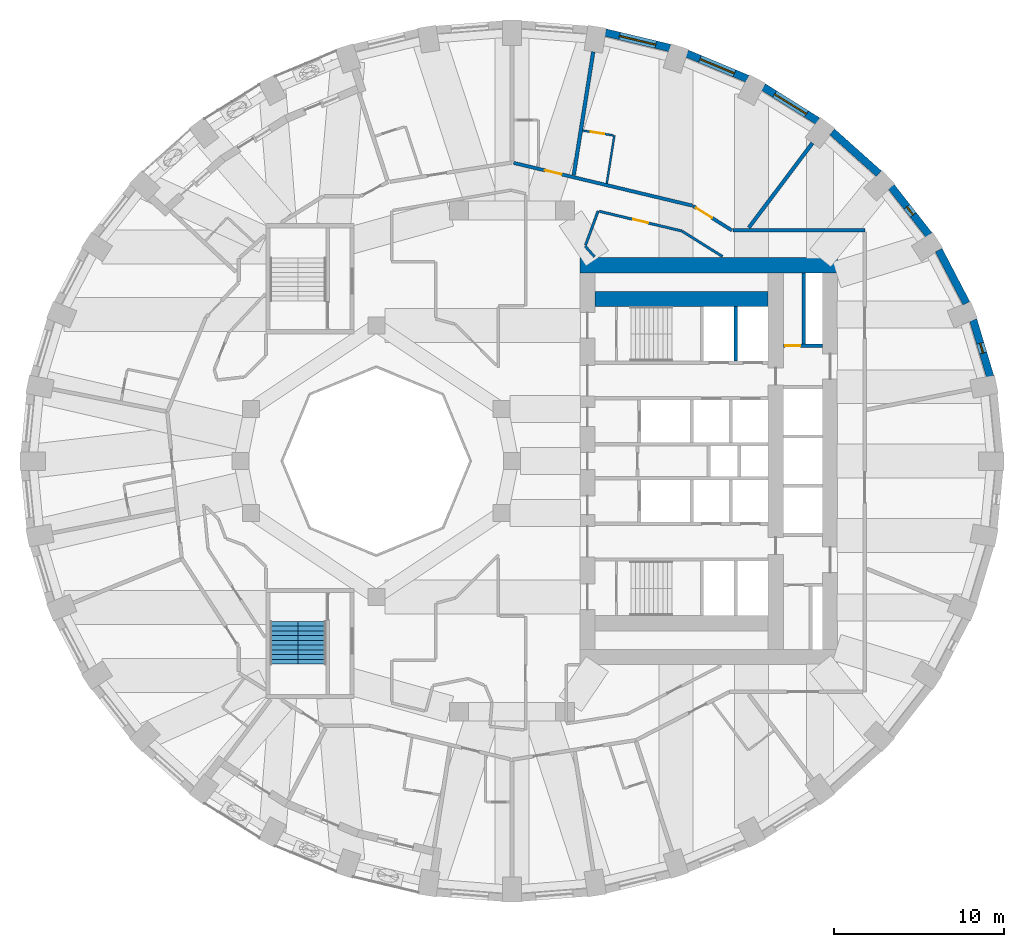
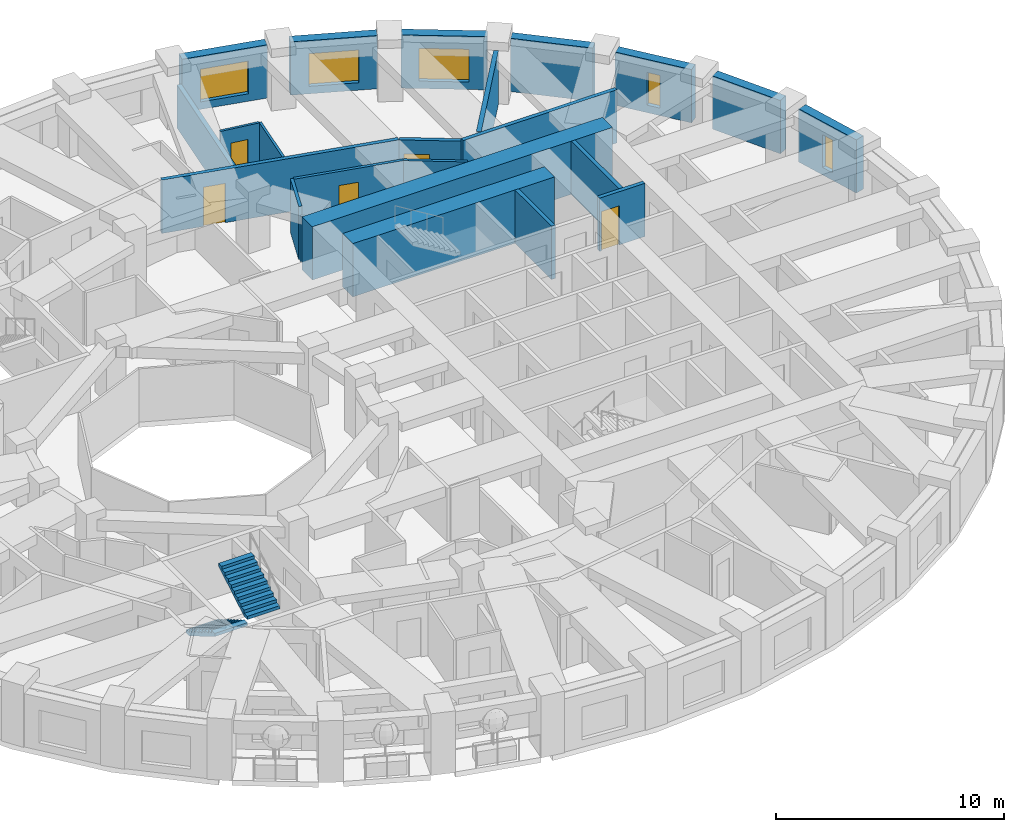
# One storey, part 9 of 13: 23 walls, 5 doors, 5 windows, 2 stair flights, 10 openings, 1 element without a shape of its own.
"""IFC4 building model written with IfcOpenShell, lengths in metres."""

import ifcopenshell
import ifcopenshell.guid

model = None  # the IFC model being written
_history = None  # IfcOwnerHistory: only IFC2X3 demands one
_inside = {}  # id of a spatial element -> (the spatial element, [elements in it])
_under = {}  # id of a project, library or spatial element -> (it, [spatial elements below it])
_declared = {}  # id of a project -> (the project, [libraries it declares])
_typed = {}  # id of a type object -> (the type object, [elements of that type])
_made_of = {}  # id of a material, layer set ... -> (it, [elements and type objects made of it])


def new_model(schema):
    """Start an empty IFC model of exactly this schema.

    Asked for "IFC4X3", IfcOpenShell would pick the latest addendum, in which some entities
    have other attributes; the version numbers below select the first issue.
    IFC2X3 requires an IfcOwnerHistory on every rooted entity: one is made here for all.
    """
    global model, _history
    if schema == "IFC4X3":
        model = ifcopenshell.file(schema_version=(4, 3, 0, 0))
    else:
        model = ifcopenshell.file(schema=schema)
    _inside.clear()
    _under.clear()
    _declared.clear()
    _typed.clear()
    _made_of.clear()
    _history = None
    if model.schema == "IFC2X3":
        org = make("IfcOrganization", Name="unknown")
        user = make(
            "IfcPersonAndOrganization",
            ThePerson=make("IfcPerson", FamilyName="unknown"),
            TheOrganization=org,
        )
        app = make(
            "IfcApplication",
            ApplicationDeveloper=org,
            Version="unknown",
            ApplicationFullName="unknown",
            ApplicationIdentifier="unknown",
        )
        _history = make(
            "IfcOwnerHistory",
            OwningUser=user,
            OwningApplication=app,
            ChangeAction="ADDED",
            CreationDate=0,
        )
    return model


def make(cls, **values):
    """One entity of the class cls with the attributes given. An attribute that is None is left unset."""
    return model.create_entity(
        cls, **{name: value for name, value in values.items() if value is not None}
    )


def rooted(cls, **values):
    """An entity with a GlobalId (a new one), such as an element, a storey or a relation."""
    return make(cls, GlobalId=ifcopenshell.guid.new(), OwnerHistory=_history, **values)


def si_unit(unit_type, name, prefix=None):
    """IfcSIUnit, for example si_unit("LENGTHUNIT", "METRE", prefix="MILLI")."""
    return make("IfcSIUnit", UnitType=unit_type, Prefix=prefix, Name=name)


def assignment(units):
    """IfcUnitAssignment: the units of a project."""
    return None if units is None else make("IfcUnitAssignment", Units=units)


def point(xyz):
    """IfcCartesianPoint."""
    return None if xyz is None else make("IfcCartesianPoint", Coordinates=xyz)


def direction(xyz):
    """IfcDirection."""
    return None if xyz is None else make("IfcDirection", DirectionRatios=xyz)


def frame(location, z_axis=None, x_axis=None):
    """IfcAxis2Placement3D, a coordinate frame: its origin and axes. An axis left out is left unset."""
    return make(
        "IfcAxis2Placement3D",
        Location=point(location),
        Axis=direction(z_axis),
        RefDirection=direction(x_axis),
    )


def frame_2d(location, x_axis=None):
    """IfcAxis2Placement2D, a coordinate frame in the plane: its origin and x axis."""
    return make(
        "IfcAxis2Placement2D", Location=point(location), RefDirection=direction(x_axis)
    )


def origin():
    """The frame at (0, 0, 0) with its axes left unset."""
    return frame((0.0, 0.0, 0.0))


def place(relative_to, where):
    """IfcLocalPlacement: puts the frame where relative to a parent placement (None: the world)."""
    return make(
        "IfcLocalPlacement", PlacementRelTo=relative_to, RelativePlacement=where
    )


def context(
    kind, dimensions, precision=None, world=None, true_north=None, identifier=None
):
    """IfcGeometricRepresentationContext, for example the 3D "Model" context."""
    return make(
        "IfcGeometricRepresentationContext",
        ContextIdentifier=identifier,
        ContextType=kind,
        CoordinateSpaceDimension=dimensions,
        Precision=precision,
        WorldCoordinateSystem=world,
        TrueNorth=true_north,
    )


def subcontext(parent, identifier, kind, view, scale=None):
    """IfcGeometricRepresentationSubContext, for example "Body" below "Model"."""
    return make(
        "IfcGeometricRepresentationSubContext",
        ContextIdentifier=identifier,
        ContextType=kind,
        ParentContext=parent,
        TargetScale=scale,
        TargetView=view,
    )


def project(units=None, contexts=None):
    """IfcProject with its units and contexts."""
    return rooted(
        "IfcProject",
        Name="project",
        RepresentationContexts=contexts,
        UnitsInContext=assignment(units),
    )


def spatial(cls, under=None, at=None, **own):
    """A site, building, storey or space (cls), placed at a placement, below another one or the project."""
    s = rooted(cls, ObjectPlacement=at, **own)
    if under is not None:
        _under.setdefault(under.id(), (under, []))[1].append(s)
    return s


def polyline(points):
    """IfcPolyline through the points."""
    return make("IfcPolyline", Points=[point(p) for p in points])


def profile(cls, at=None, kind="AREA", **sizes):
    """A parametric profile (cls). Its sizes go by their IFC names, for example OverallWidth=200.0."""
    return make(cls, ProfileType=kind, Position=at, **sizes)


def rectangle(**sizes):
    """IfcRectangleProfileDef."""
    return profile("IfcRectangleProfileDef", **sizes)


def outline(outer, holes=None, kind="AREA"):
    """IfcArbitraryClosedProfileDef: a profile drawn as a closed curve; with holes, ...WithVoids."""
    if holes is None:
        return make("IfcArbitraryClosedProfileDef", ProfileType=kind, OuterCurve=outer)
    return make(
        "IfcArbitraryProfileDefWithVoids",
        ProfileType=kind,
        OuterCurve=outer,
        InnerCurves=holes,
    )


def extrude(swept, where, along, depth):
    """IfcExtrudedAreaSolid: the profile swept, set in the frame where, extruded along a direction by depth."""
    return make(
        "IfcExtrudedAreaSolid",
        SweptArea=swept,
        Position=where,
        ExtrudedDirection=direction(along),
        Depth=depth,
    )


def shape(context_of_items, identifier, shape_type, items):
    """IfcShapeRepresentation: the items that make up one representation, for example the "Body"."""
    return make(
        "IfcShapeRepresentation",
        ContextOfItems=context_of_items,
        RepresentationIdentifier=identifier,
        RepresentationType=shape_type,
        Items=items,
    )


def material(Name=None, Category=None):
    """IfcMaterial."""
    return make("IfcMaterial", Name=Name, Category=Category)


def layer(
    of_material, thickness, ventilated=None, Name=None, Category=None, Priority=None
):
    """IfcMaterialLayer: one layer of a wall or slab, of a material (None: an air gap)."""
    return make(
        "IfcMaterialLayer",
        Material=of_material,
        LayerThickness=thickness,
        IsVentilated=ventilated,
        Name=Name,
        Category=Category,
        Priority=Priority,
    )


def layer_set(layers, Name=None):
    """IfcMaterialLayerSet."""
    return make("IfcMaterialLayerSet", MaterialLayers=layers, LayerSetName=Name)


def made_of(thing, what):
    """Note that an element or type object is made of a material, layer set ...; save() writes the relation."""
    if what is not None:
        _made_of.setdefault(what.id(), (what, []))[1].append(thing)
    return thing


def type_object(cls, material=None, **own):
    """A type object (cls), such as IfcWallType, which elements share."""
    return made_of(rooted(cls, **own), material)


def element(
    cls,
    number,
    at=None,
    inside=None,
    cuts=None,
    type_object=None,
    material=None,
    context=None,
    identifier="Body",
    shape_type=None,
    held_by="IfcProductDefinitionShape",
    body=None,
    shapes=None,
    **own,
):
    """One element of the class cls, such as IfcWall. Its Tag is "e" and its number.

    at: its placement. inside: the storey or other place that contains it. cuts: it is an
    opening in that element (IfcRelVoidsElement). A single representation is given by context,
    identifier, shape_type and body (its items); several are given by shapes. held_by: the class
    of the entity that holds the representations. save() writes the other relations.
    """
    e = rooted(cls, Tag="e%d" % number, ObjectPlacement=at, **own)
    if body is not None:
        shapes = [shape(context, identifier, shape_type, body)]
    if shapes is not None:
        e.Representation = make(held_by, Representations=shapes)
    if inside is not None:
        _inside.setdefault(inside.id(), (inside, []))[1].append(e)
    if cuts is not None:
        rooted(
            "IfcRelVoidsElement", RelatingBuildingElement=cuts, RelatedOpeningElement=e
        )
    if type_object is not None:
        _typed.setdefault(type_object.id(), (type_object, []))[1].append(e)
    return made_of(e, material)


def fill(opening, filler):
    """IfcRelFillsElement: the door or window that sits in an opening."""
    return rooted(
        "IfcRelFillsElement",
        RelatingOpeningElement=opening,
        RelatedBuildingElement=filler,
    )


def aggregate(whole, parts):
    """IfcRelAggregates: a whole, such as a stair, and the parts it consists of."""
    return rooted("IfcRelAggregates", RelatingObject=whole, RelatedObjects=parts)


def save(model, path):
    """Write the relations noted so far, then the file.

    IfcRelAggregates (storeys below a building ...), IfcRelContainedInSpatialStructure (elements
    in a storey), IfcRelDefinesByType, IfcRelAssociatesMaterial and IfcRelDeclares: one each for
    every whole, place, type object, material and project.
    """
    for whole, parts in _under.values():
        aggregate(whole, parts)
    for where, things in _inside.values():
        rooted(
            "IfcRelContainedInSpatialStructure",
            RelatedElements=things,
            RelatingStructure=where,
        )
    for kind, things in _typed.values():
        rooted("IfcRelDefinesByType", RelatedObjects=things, RelatingType=kind)
    for what, things in _made_of.values():
        rooted("IfcRelAssociatesMaterial", RelatedObjects=things, RelatingMaterial=what)
    for by, libraries in _declared.values():
        rooted("IfcRelDeclares", RelatingContext=by, RelatedDefinitions=libraries)
    model.write(path)


model = new_model("IFC4")

# Units and contexts
model_context = context("Model", 3, precision=1e-05, world=origin(), true_north=direction((0.0, 1.0)))
body_context = subcontext(model_context, "Body", "Model", "MODEL_VIEW")
ifc_project = project(units=[si_unit("LENGTHUNIT", "METRE"), si_unit("AREAUNIT", "SQUARE_METRE"), si_unit("VOLUMEUNIT", "CUBIC_METRE"), si_unit("PLANEANGLEUNIT", "RADIAN"), si_unit("MASSUNIT", "GRAM", prefix="KILO")], contexts=[model_context])

# Site, building, storey
site_placement = place(None, origin())
site = spatial("IfcSite", under=ifc_project, at=site_placement, CompositionType="ELEMENT")
building_placement = place(site_placement, origin())
building = spatial("IfcBuilding", under=site, at=building_placement, Name="Taillehof Tower", CompositionType="ELEMENT")
storey_placement = place(building_placement, frame((0.0, 0.0, 81.10009765625)))
storey = spatial("IfcBuildingStorey", under=building, at=storey_placement, Name="L22", CompositionType="ELEMENT", Elevation=81.10009765625)

# Wall, opening, window
ifc_material_1 = material(Name="Brick masonry", Category="masonry")
ifc_layer_1 = layer(ifc_material_1, 0.449951171875)
ifc_layer_set_1 = layer_set([ifc_layer_1], Name="Brick infill wall 450")
wall_type_1 = type_object("IfcWallType", Name="Brick infill wall 450", PredefinedType="SOLIDWALL", material=ifc_layer_set_1)
wall_1_placement = place(storey_placement, frame((28.181884765625, 4.995849609375, 0.0), z_axis=(0.0, 0.0, 1.0), x_axis=(-0.287064133733, 0.957911364963, 0.0)))
wall_1 = element("IfcWall", 1, at=wall_1_placement, inside=storey, type_object=wall_type_1, Name="Brick wall L22 bay 2", PredefinedType="SOLIDWALL", context=body_context, shape_type="SweptSolid", body=[
    extrude(rectangle(XDim=3.473388671875, YDim=0.449951171875, at=frame_2d((1.73681640625, 0.0))), origin(), (0.0, 0.0, 1.0), 2.849853515625),
])
opening_1_placement = place(wall_1_placement, frame((1.436767578125, 0.0, 0.39990234375)))
opening_1 = element("IfcOpeningElement", 2, at=opening_1_placement, cuts=wall_1, Name="Opening W6", PredefinedType="OPENING", context=body_context, shape_type="SweptSolid", body=[
    extrude(rectangle(XDim=0.60009765625, YDim=1.75, at=frame_2d((0.300048828125, 0.875))), frame((0.0, 0.23486328125, 0.0), z_axis=(0.0, -1.0, 0.0), x_axis=(1.0, 0.0, 0.0)), (0.0, 0.0, 1.0), 0.469970703125),
])
ifc_material_2 = material(Name="Aluminium window frame with clear double glazing", Category="aluminium")
window_type_1 = type_object("IfcWindowType", Name="Slot window 600x1750", PartitioningType="SINGLE_PANEL", PredefinedType="WINDOW", material=ifc_material_2)
window_1_placement = place(opening_1_placement, origin())
window_1 = element("IfcWindow", 3, at=window_1_placement, inside=storey, type_object=window_type_1, Name="W6", OverallHeight=1.75, OverallWidth=0.60009765625, PartitioningType="SINGLE_PANEL", PredefinedType="WINDOW", context=body_context, shape_type="SweptSolid", body=[
    extrude(rectangle(XDim=0.60009765625, YDim=1.75, at=frame_2d((0.300048828125, 0.875))), frame((0.0, 0.034912109375, 0.0), z_axis=(0.0, -1.0, 0.0), x_axis=(1.0, 0.0, 0.0)), (0.0, 0.0, 1.0), 0.06005859375),
])
fill(opening_1, window_1)

# Wall
wall_2_placement = place(storey_placement, frame((26.78564453125, 9.30517578125, 0.0), z_axis=(0.0, 0.0, 1.0), x_axis=(-0.462492775226, 0.886623050041, 0.0)))
element("IfcWall", 4, at=wall_2_placement, inside=storey, type_object=wall_type_1, Name="Brick wall L22 bay 3", PredefinedType="SOLIDWALL", context=body_context, shape_type="SweptSolid", body=[
    extrude(rectangle(XDim=3.531982421875, YDim=0.449951171875, at=frame_2d((1.76611328125, 0.0))), origin(), (0.0, 0.0, 1.0), 2.849853515625),
])

# Wall, opening, window
wall_3_placement = place(storey_placement, frame((24.57763671875, 13.327880859375, 0.0), z_axis=(0.0, 0.0, 1.0), x_axis=(-0.616661975264, 0.787228053529, 0.0)))
wall_3 = element("IfcWall", 5, at=wall_3_placement, inside=storey, type_object=wall_type_1, Name="Brick wall L22 bay 4", PredefinedType="SOLIDWALL", context=body_context, shape_type="SweptSolid", body=[
    extrude(rectangle(XDim=3.60986328125, YDim=0.449951171875, at=frame_2d((1.804931640625, 0.0))), origin(), (0.0, 0.0, 1.0), 2.849853515625),
])
opening_2_placement = place(wall_3_placement, frame((1.5048828125, 0.0, 0.39990234375)))
opening_2 = element("IfcOpeningElement", 6, at=opening_2_placement, cuts=wall_3, Name="Opening W6", PredefinedType="OPENING", context=body_context, shape_type="SweptSolid", body=[
    extrude(rectangle(XDim=0.60009765625, YDim=1.75, at=frame_2d((0.300048828125, 0.875))), frame((0.0, 0.23486328125, 0.0), z_axis=(0.0, -1.0, 0.0), x_axis=(1.0, 0.0, 0.0)), (0.0, 0.0, 1.0), 0.469970703125),
])
window_2_placement = place(opening_2_placement, origin())
window_2 = element("IfcWindow", 7, at=window_2_placement, inside=storey, type_object=window_type_1, Name="W6", OverallHeight=1.75, OverallWidth=0.60009765625, PartitioningType="SINGLE_PANEL", PredefinedType="WINDOW", context=body_context, shape_type="SweptSolid", body=[
    extrude(rectangle(XDim=0.60009765625, YDim=1.75, at=frame_2d((0.300048828125, 0.875))), frame((0.0, 0.034912109375, 0.0), z_axis=(0.0, -1.0, 0.0), x_axis=(1.0, 0.0, 0.0)), (0.0, 0.0, 1.0), 0.06005859375),
])
fill(opening_2, window_2)

# Wall
wall_4_placement = place(storey_placement, frame((21.626708984375, 16.943115234375, 0.0), z_axis=(0.0, 0.0, 1.0), x_axis=(-0.745526233716, 0.66647628228, 0.0)))
element("IfcWall", 8, at=wall_4_placement, inside=storey, type_object=wall_type_1, Name="Brick wall L22 bay 5", PredefinedType="SOLIDWALL", context=body_context, shape_type="SweptSolid", body=[
    extrude(rectangle(XDim=3.69677734375, YDim=0.449951171875, at=frame_2d((1.848388671875, 0.0))), origin(), (0.0, 0.0, 1.0), 2.849853515625),
])

# Wall, opening, window
wall_5_placement = place(storey_placement, frame((18.02294921875, 20.043701171875, 0.0), z_axis=(0.0, 0.0, 1.0), x_axis=(-0.847635480093, 0.530579016629, 0.0)))
wall_5 = element("IfcWall", 9, at=wall_5_placement, inside=storey, type_object=wall_type_1, Name="Brick wall L22 bay 6", PredefinedType="SOLIDWALL", context=body_context, shape_type="SweptSolid", body=[
    extrude(rectangle(XDim=3.782470703125, YDim=0.449951171875, at=frame_2d((1.89111328125, 0.0))), origin(), (0.0, 0.0, 1.0), 2.849853515625),
])
opening_3_placement = place(wall_5_placement, frame((0.791259765625, 0.0, 0.39990234375)))
opening_3 = element("IfcOpeningElement", 10, at=opening_3_placement, cuts=wall_5, Name="Opening W1", PredefinedType="OPENING", context=body_context, shape_type="SweptSolid", body=[
    extrude(rectangle(XDim=2.199951171875, YDim=1.75, at=frame_2d((1.10009765625, 0.875))), frame((0.0, 0.23486328125, 0.0), z_axis=(0.0, -1.0, 0.0), x_axis=(1.0, 0.0, 0.0)), (0.0, 0.0, 1.0), 0.469970703125),
])
ifc_material_3 = material(Name="Aluminium window frame with clear double glazing", Category="aluminium")
window_type_2 = type_object("IfcWindowType", Name="Deep-set window 2200x1750", PartitioningType="SINGLE_PANEL", PredefinedType="WINDOW", material=ifc_material_3)
window_3_placement = place(opening_3_placement, origin())
window_3 = element("IfcWindow", 11, at=window_3_placement, inside=storey, type_object=window_type_2, Name="W1", OverallHeight=1.75, OverallWidth=2.199951171875, PartitioningType="SINGLE_PANEL", PredefinedType="WINDOW", context=body_context, shape_type="SweptSolid", body=[
    extrude(rectangle(XDim=2.199951171875, YDim=1.75, at=frame_2d((1.10009765625, 0.875))), frame((0.0, 0.034912109375, 0.0), z_axis=(0.0, -1.0, 0.0), x_axis=(1.0, 0.0, 0.0)), (0.0, 0.0, 1.0), 0.06005859375),
])
fill(opening_3, window_3)

wall_6_placement = place(storey_placement, frame((13.875, 22.537353515625, 0.0), z_axis=(0.0, 0.0, 1.0), x_axis=(-0.923031964282, 0.384723267966, 0.0)))
wall_6 = element("IfcWall", 12, at=wall_6_placement, inside=storey, type_object=wall_type_1, Name="Brick wall L22 bay 7", PredefinedType="SOLIDWALL", context=body_context, shape_type="SweptSolid", body=[
    extrude(rectangle(XDim=3.8564453125, YDim=0.449951171875, at=frame_2d((1.92822265625, 0.0))), origin(), (0.0, 0.0, 1.0), 2.849853515625),
])
opening_4_placement = place(wall_6_placement, frame((0.828125, 0.0, 0.39990234375)))
opening_4 = element("IfcOpeningElement", 13, at=opening_4_placement, cuts=wall_6, Name="Opening W1", PredefinedType="OPENING", context=body_context, shape_type="SweptSolid", body=[
    extrude(rectangle(XDim=2.199951171875, YDim=1.75, at=frame_2d((1.10009765625, 0.875))), frame((0.0, 0.23486328125, 0.0), z_axis=(0.0, -1.0, 0.0), x_axis=(1.0, 0.0, 0.0)), (0.0, 0.0, 1.0), 0.469970703125),
])
window_4_placement = place(opening_4_placement, origin())
window_4 = element("IfcWindow", 14, at=window_4_placement, inside=storey, type_object=window_type_2, Name="W1", OverallHeight=1.75, OverallWidth=2.199951171875, PartitioningType="SINGLE_PANEL", PredefinedType="WINDOW", context=body_context, shape_type="SweptSolid", body=[
    extrude(rectangle(XDim=2.199951171875, YDim=1.75, at=frame_2d((1.10009765625, 0.875))), frame((0.0, 0.034912109375, 0.0), z_axis=(0.0, -1.0, 0.0), x_axis=(1.0, 0.0, 0.0)), (0.0, 0.0, 1.0), 0.06005859375),
])
fill(opening_4, window_4)

wall_7_placement = place(storey_placement, frame((9.3076171875, 24.349609375, 0.0), z_axis=(0.0, 0.0, 1.0), x_axis=(-0.972496561493, 0.232917233979, 0.0)))
wall_7 = element("IfcWall", 15, at=wall_7_placement, inside=storey, type_object=wall_type_1, Name="Brick wall L22 bay 8", PredefinedType="SOLIDWALL", context=body_context, shape_type="SweptSolid", body=[
    extrude(rectangle(XDim=3.910888671875, YDim=0.449951171875, at=frame_2d((1.95556640625, 0.0))), origin(), (0.0, 0.0, 1.0), 2.849853515625),
])
opening_5_placement = place(wall_7_placement, frame((0.855224609375, 0.0, 0.39990234375)))
opening_5 = element("IfcOpeningElement", 16, at=opening_5_placement, cuts=wall_7, Name="Opening W1", PredefinedType="OPENING", context=body_context, shape_type="SweptSolid", body=[
    extrude(rectangle(XDim=2.199951171875, YDim=1.75, at=frame_2d((1.10009765625, 0.875))), frame((0.0, 0.23486328125, 0.0), z_axis=(0.0, -1.0, 0.0), x_axis=(1.0, 0.0, 0.0)), (0.0, 0.0, 1.0), 0.469970703125),
])
window_5_placement = place(opening_5_placement, origin())
window_5 = element("IfcWindow", 17, at=window_5_placement, inside=storey, type_object=window_type_2, Name="W1", OverallHeight=1.75, OverallWidth=2.199951171875, PartitioningType="SINGLE_PANEL", PredefinedType="WINDOW", context=body_context, shape_type="SweptSolid", body=[
    extrude(rectangle(XDim=2.199951171875, YDim=1.75, at=frame_2d((1.10009765625, 0.875))), frame((0.0, 0.034912109375, 0.0), z_axis=(0.0, -1.0, 0.0), x_axis=(1.0, 0.0, 0.0)), (0.0, 0.0, 1.0), 0.06005859375),
])
fill(opening_5, window_5)

# Wall, opening, door
ifc_material_4 = material(Name="Calcium silicate masonry", Category="masonry")
ifc_layer_2 = layer(ifc_material_4, 0.199951171875)
ifc_layer_set_2 = layer_set([ifc_layer_2], Name="Compartment wall calcium silicate 200")
wall_type_2 = type_object("IfcWallType", Name="Compartment wall calcium silicate 200", PredefinedType="PARTITIONING", material=ifc_layer_set_2)
wall_8_placement = place(storey_placement, frame((16.0, 6.800048828125, 0.0), z_axis=(0.0, 0.0, 1.0), x_axis=(1.0, 0.0, 0.0)))
wall_8 = element("IfcWall", 18, at=wall_8_placement, inside=storey, type_object=wall_type_2, Name="Compartment wall FW", PredefinedType="PARTITIONING", context=body_context, shape_type="SweptSolid", body=[
    extrude(rectangle(XDim=2.300048828125, YDim=0.199951171875, at=frame_2d((1.14990234375, 0.0))), origin(), (0.0, 0.0, 1.0), 2.849853515625),
])
opening_6_placement = place(wall_8_placement, frame((0.10009765625, 0.0, 0.0)))
opening_6 = element("IfcOpeningElement", 19, at=opening_6_placement, cuts=wall_8, Name="Opening D2216", PredefinedType="OPENING", context=body_context, shape_type="SweptSolid", body=[
    extrude(rectangle(XDim=0.89990234375, YDim=2.10009765625, at=frame_2d((0.449951171875, 1.050048828125))), frame((0.0, 0.10986328125, 0.0), z_axis=(0.0, -1.0, 0.0), x_axis=(1.0, 0.0, 0.0)), (0.0, 0.0, 1.0), 0.219970703125),
])
ifc_material_5 = material(Name="Steel-faced fire door", Category="steel")
door_type_1 = type_object("IfcDoorType", Name="Riser and service room door 900x2100", OperationType="SINGLE_SWING_LEFT", PredefinedType="DOOR", material=ifc_material_5)
door_1_placement = place(opening_6_placement, origin())
door_1 = element("IfcDoor", 20, at=door_1_placement, inside=storey, type_object=door_type_1, Name="Door Ice Room", OperationType="SINGLE_SWING_RIGHT", OverallHeight=2.10009765625, OverallWidth=0.89990234375, PredefinedType="DOOR", context=body_context, shape_type="SweptSolid", body=[
    extrude(rectangle(XDim=0.89990234375, YDim=2.10009765625, at=frame_2d((0.449951171875, 1.050048828125))), frame((0.0, 0.02490234375, 0.0), z_axis=(0.0, -1.0, 0.0), x_axis=(1.0, 0.0, 0.0)), (0.0, 0.0, 1.0), 0.050048828125),
])
fill(opening_6, door_1)

# Wall
wall_9_placement = place(storey_placement, frame((17.199951171875, 6.89990234375, 0.0), z_axis=(0.0, 0.0, 1.0), x_axis=(0.0, 1.0, 0.0)))
element("IfcWall", 21, at=wall_9_placement, inside=storey, type_object=wall_type_2, Name="Compartment wall FW", PredefinedType="PARTITIONING", context=body_context, shape_type="SweptSolid", body=[
    extrude(rectangle(XDim=4.2001953125, YDim=0.199951171875, at=frame_2d((2.10009765625, 0.0))), origin(), (0.0, 0.0, 1.0), 2.849853515625),
])

# Wall, opening, door
ifc_material_6 = material(Name="Gypsum board on steel studs, two layers each side", Category="steel")
ifc_layer_3 = layer(ifc_material_6, 0.199951171875)
ifc_layer_set_3 = layer_set([ifc_layer_3], Name="Compartment wall corridor 200")
wall_type_3 = type_object("IfcWallType", Name="Compartment wall corridor 200", PredefinedType="PARTITIONING", material=ifc_layer_set_3)
wall_10_placement = place(storey_placement, frame((0.09765625, 17.576904296875, 0.0), z_axis=(0.0, 0.0, 1.0), x_axis=(0.97259262522, -0.232515774447, 0.0)))
wall_10 = element("IfcWall", 22, at=wall_10_placement, inside=storey, type_object=wall_type_3, Name="Compartment wall", PredefinedType="PARTITIONING", context=body_context, shape_type="SweptSolid", body=[
    extrude(rectangle(XDim=10.838134765625, YDim=0.199951171875, at=frame_2d((5.4189453125, 0.0))), origin(), (0.0, 0.0, 1.0), 2.849853515625),
])
opening_7_placement = place(wall_10_placement, frame((1.905029296875, 0.0, 0.0)))
opening_7 = element("IfcOpeningElement", 23, at=opening_7_placement, cuts=wall_10, Name="Opening D2242", PredefinedType="OPENING", context=body_context, shape_type="SweptSolid", body=[
    extrude(rectangle(XDim=1.0, YDim=2.10009765625, at=frame_2d((0.5, 1.050048828125))), frame((0.0, 0.10986328125, 0.0), z_axis=(0.0, -1.0, 0.0), x_axis=(1.0, 0.0, 0.0)), (0.0, 0.0, 1.0), 0.219970703125),
])
ifc_material_7 = material(Name="Timber door leaf in steel frame", Category="steel")
door_type_2 = type_object("IfcDoorType", Name="Guest room door EI 30 1000 x 2100", OperationType="SINGLE_SWING_LEFT", PredefinedType="DOOR", material=ifc_material_7)
door_2_placement = place(opening_7_placement, origin())
door_2 = element("IfcDoor", 24, at=door_2_placement, inside=storey, type_object=door_type_2, Name="D2242", OperationType="SINGLE_SWING_LEFT", OverallHeight=2.10009765625, OverallWidth=1.0, PredefinedType="DOOR", context=body_context, shape_type="SweptSolid", body=[
    extrude(rectangle(XDim=1.0, YDim=2.10009765625, at=frame_2d((0.5, 1.050048828125))), frame((0.0, 0.02490234375, 0.0), z_axis=(0.0, -1.0, 0.0), x_axis=(1.0, 0.0, 0.0)), (0.0, 0.0, 1.0), 0.050048828125),
])
fill(opening_7, door_2)

wall_11_placement = place(storey_placement, frame((10.67236328125, 15.035400390625, 0.0), z_axis=(0.0, 0.0, 1.0), x_axis=(0.847149253931, -0.531355005213, 0.0)))
wall_11 = element("IfcWall", 25, at=wall_11_placement, inside=storey, type_object=wall_type_3, Name="Compartment wall", PredefinedType="PARTITIONING", context=body_context, shape_type="SweptSolid", body=[
    extrude(rectangle(XDim=2.701171875, YDim=0.199951171875, at=frame_2d((1.3505859375, 0.0))), origin(), (0.0, 0.0, 1.0), 2.849853515625),
])
opening_8_placement = place(wall_11_placement, frame((0.219970703125, 0.0, 0.0)))
opening_8 = element("IfcOpeningElement", 26, at=opening_8_placement, cuts=wall_11, Name="Opening D2240", PredefinedType="OPENING", context=body_context, shape_type="SweptSolid", body=[
    extrude(rectangle(XDim=1.10009765625, YDim=2.10009765625, at=frame_2d((0.550048828125, 1.050048828125))), frame((0.0, 0.10986328125, 0.0), z_axis=(0.0, -1.0, 0.0), x_axis=(1.0, 0.0, 0.0)), (0.0, 0.0, 1.0), 0.219970703125),
])
ifc_material_8 = material(Name="Timber door leaf in steel frame", Category="steel")
door_type_3 = type_object("IfcDoorType", Name="Suite entrance door EI 30 1100 x 2100", OperationType="SINGLE_SWING_LEFT", PredefinedType="DOOR", material=ifc_material_8)
door_3_placement = place(opening_8_placement, origin())
door_3 = element("IfcDoor", 27, at=door_3_placement, inside=storey, type_object=door_type_3, Name="D2240", OperationType="SINGLE_SWING_RIGHT", OverallHeight=2.10009765625, OverallWidth=1.10009765625, PredefinedType="DOOR", context=body_context, shape_type="SweptSolid", body=[
    extrude(rectangle(XDim=1.10009765625, YDim=2.10009765625, at=frame_2d((0.550048828125, 1.050048828125))), frame((0.0, 0.02490234375, 0.0), z_axis=(0.0, -1.0, 0.0), x_axis=(1.0, 0.0, 0.0)), (0.0, 0.0, 1.0), 0.050048828125),
])
fill(opening_8, door_3)

# Walls
wall_12_placement = place(storey_placement, frame((13.020751953125, 13.60009765625, 0.0), z_axis=(0.0, 0.0, 1.0), x_axis=(1.0, 0.0, 0.0)))
element("IfcWall", 28, at=wall_12_placement, inside=storey, type_object=wall_type_3, Name="Compartment wall", PredefinedType="PARTITIONING", context=body_context, shape_type="SweptSolid", body=[
    extrude(rectangle(XDim=7.779296875, YDim=0.199951171875, at=frame_2d((3.8896484375, 0.0))), origin(), (0.0, 0.0, 1.0), 2.849853515625),
])
ifc_material_9 = material(Name="Gypsum board on double steel studs with mineral wool", Category="steel")
ifc_layer_4 = layer(ifc_material_9, 0.219970703125)
ifc_layer_set_4 = layer_set([ifc_layer_4], Name="Compartment wall guest room 220")
wall_type_4 = type_object("IfcWallType", Name="Compartment wall guest room 220", PredefinedType="PARTITIONING", material=ifc_layer_set_4)
wall_13_placement = place(storey_placement, frame((17.707763671875, 18.7431640625, 0.0), z_axis=(0.0, 0.0, 1.0), x_axis=(-0.601177883261, -0.799115231164, 0.0)))
element("IfcWall", 29, at=wall_13_placement, inside=storey, type_object=wall_type_4, Name="Compartment wall", PredefinedType="PARTITIONING", context=body_context, shape_type="SweptSolid", body=[
    extrude(rectangle(XDim=6.231201171875, YDim=0.219970703125, at=frame_2d((3.11572265625, 0.0))), origin(), (0.0, 0.0, 1.0), 2.849853515625),
])
wall_14_placement = place(storey_placement, frame((4.788330078125, 24.12548828125, 0.0), z_axis=(0.0, 0.0, 1.0), x_axis=(-0.156122641138, -0.987737678194, 0.0)))
element("IfcWall", 30, at=wall_14_placement, inside=storey, type_object=wall_type_4, Name="Compartment wall", PredefinedType="PARTITIONING", context=body_context, shape_type="SweptSolid", body=[
    extrude(rectangle(XDim=7.3623046875, YDim=0.219970703125, at=frame_2d((3.68115234375, 0.0))), origin(), (0.0, 0.0, 1.0), 2.2998046875),
])
ifc_material_10 = material(Name="Gypsum board on steel studs, two layers each side", Category="steel")
ifc_layer_5 = layer(ifc_material_10, 0.14990234375)
ifc_layer_set_5 = layer_set([ifc_layer_5], Name="Compartment wall service room 150")
wall_type_5 = type_object("IfcWallType", Name="Compartment wall service room 150", PredefinedType="PARTITIONING", material=ifc_layer_set_5)
wall_15_placement = place(storey_placement, frame((4.864501953125, 12.04150390625, 0.0), z_axis=(0.0, 0.0, 1.0), x_axis=(-0.660014599896, 0.751252772323, 0.0)))
element("IfcWall", 31, at=wall_15_placement, inside=storey, type_object=wall_type_5, Name="Compartment wall", PredefinedType="PARTITIONING", context=body_context, shape_type="SweptSolid", body=[
    extrude(rectangle(XDim=0.8349609375, YDim=0.14990234375, at=frame_2d((0.41748046875, 0.0))), origin(), (0.0, 0.0, 1.0), 2.39990234375),
])
wall_16_placement = place(storey_placement, frame((4.333984375, 12.72509765625, 0.0), z_axis=(0.0, 0.0, 1.0), x_axis=(0.345226102509, 0.938519545959, 0.0)))
element("IfcWall", 32, at=wall_16_placement, inside=storey, type_object=wall_type_5, Name="Compartment wall", PredefinedType="PARTITIONING", context=body_context, shape_type="SweptSolid", body=[
    extrude(rectangle(XDim=2.1484375, YDim=0.14990234375, at=frame_2d((1.07421875, 0.0))), origin(), (0.0, 0.0, 1.0), 2.849853515625),
])

# Wall, opening, door
wall_17_placement = place(storey_placement, frame((5.15380859375, 14.722900390625, 0.0), z_axis=(0.0, 0.0, 1.0), x_axis=(0.972595476038, -0.232503849411, 0.0)))
wall_17 = element("IfcWall", 33, at=wall_17_placement, inside=storey, type_object=wall_type_5, Name="Compartment wall", PredefinedType="PARTITIONING", context=body_context, shape_type="SweptSolid", body=[
    extrude(rectangle(XDim=4.994140625, YDim=0.14990234375, at=frame_2d((2.4970703125, 0.0))), origin(), (0.0, 0.0, 1.0), 2.849853515625),
])
opening_9_placement = place(wall_17_placement, frame((2.047119140625, 0.0, 0.0)))
opening_9 = element("IfcOpeningElement", 34, at=opening_9_placement, cuts=wall_17, Name="Opening D2269", PredefinedType="OPENING", context=body_context, shape_type="SweptSolid", body=[
    extrude(rectangle(XDim=0.89990234375, YDim=2.10009765625, at=frame_2d((0.449951171875, 1.050048828125))), frame((0.0, 0.0849609375, 0.0), z_axis=(0.0, -1.0, 0.0), x_axis=(1.0, 0.0, 0.0)), (0.0, 0.0, 1.0), 0.169921875),
])
ifc_material_11 = material(Name="Timber door leaf in steel frame", Category="steel")
door_type_4 = type_object("IfcDoorType", Name="Service room door EI 30 900 x 2100", OperationType="SINGLE_SWING_LEFT", PredefinedType="DOOR", material=ifc_material_11)
door_4_placement = place(opening_9_placement, origin())
door_4 = element("IfcDoor", 35, at=door_4_placement, inside=storey, type_object=door_type_4, Name="D2269", OperationType="SINGLE_SWING_LEFT", OverallHeight=2.10009765625, OverallWidth=0.89990234375, PredefinedType="DOOR", context=body_context, shape_type="SweptSolid", body=[
    extrude(rectangle(XDim=0.89990234375, YDim=2.10009765625, at=frame_2d((0.449951171875, 1.050048828125))), frame((0.0, 0.02490234375, 0.0), z_axis=(0.0, -1.0, 0.0), x_axis=(1.0, 0.0, 0.0)), (0.0, 0.0, 1.0), 0.050048828125),
])
fill(opening_9, door_4)

# Walls
wall_18_placement = place(storey_placement, frame((10.02783203125, 13.551025390625, 0.0), z_axis=(0.0, 0.0, 1.0), x_axis=(0.847128314977, -0.531388387118, 0.0)))
element("IfcWall", 36, at=wall_18_placement, inside=storey, type_object=wall_type_5, Name="Compartment wall", PredefinedType="PARTITIONING", context=body_context, shape_type="SweptSolid", body=[
    extrude(rectangle(XDim=2.809814453125, YDim=0.14990234375, at=frame_2d((1.40478515625, 0.0))), origin(), (0.0, 0.0, 1.0), 2.849853515625),
])
ifc_material_12 = material(Name="Concrete C80/95", Category="concrete")
ifc_layer_6 = layer(ifc_material_12, 0.89990234375)
ifc_layer_set_6 = layer_set([ifc_layer_6], Name="Core wall C80/95 900")
wall_type_6 = type_object("IfcWallType", Name="Core wall C80/95 900", PredefinedType="SHEAR", material=ifc_layer_set_6)
wall_19_placement = place(storey_placement, frame((4.0, 11.550048828125, 0.0), z_axis=(0.0, 0.0, 1.0), x_axis=(1.0, 0.0, 0.0)))
element("IfcWall", 37, at=wall_19_placement, inside=storey, type_object=wall_type_6, Name="Core wall CW03", PredefinedType="SHEAR", context=body_context, shape_type="SweptSolid", body=[
    extrude(rectangle(XDim=15.199951171875, YDim=0.89990234375, at=frame_2d((7.60009765625, 0.0))), origin(), (0.0, 0.0, 1.0), 2.849853515625),
])
wall_20_placement = place(storey_placement, frame((4.89990234375, 9.550048828125, 0.0), z_axis=(0.0, 0.0, 1.0), x_axis=(1.0, 0.0, 0.0)))
element("IfcWall", 38, at=wall_20_placement, inside=storey, type_object=wall_type_6, Name="Core wall CW06", PredefinedType="SHEAR", context=body_context, shape_type="SweptSolid", body=[
    extrude(rectangle(XDim=10.2001953125, YDim=0.89990234375, at=frame_2d((5.10009765625, 0.0))), origin(), (0.0, 0.0, 1.0), 2.849853515625),
])
ifc_material_13 = material(Name="Gypsum board on steel studs, moisture resistant", Category="steel")
ifc_layer_7 = layer(ifc_material_13, 0.1201171875)
ifc_layer_set_7 = layer_set([ifc_layer_7], Name="En-suite wall 120")
wall_type_7 = type_object("IfcWallType", Name="En-suite wall 120", PredefinedType="PARTITIONING", material=ifc_layer_set_7)
wall_21_placement = place(storey_placement, frame((5.586669921875, 16.367431640625, 0.0), z_axis=(0.0, 0.0, 1.0), x_axis=(0.15619964473, 0.987725503865, 0.0)))
element("IfcWall", 39, at=wall_21_placement, inside=storey, type_object=wall_type_7, Name="En-suite wall", PredefinedType="PARTITIONING", context=body_context, shape_type="SweptSolid", body=[
    extrude(rectangle(XDim=2.855712890625, YDim=0.1201171875, at=frame_2d((1.427734375, 0.0))), origin(), (0.0, 0.0, 1.0), 2.849853515625),
])

# Wall, opening, door
wall_22_placement = place(storey_placement, frame((5.973388671875, 19.197265625, 0.0), z_axis=(0.0, 0.0, 1.0), x_axis=(-0.98771965546, 0.156236622524, 0.0)))
wall_22 = element("IfcWall", 40, at=wall_22_placement, inside=storey, type_object=wall_type_7, Name="En-suite wall", PredefinedType="PARTITIONING", context=body_context, shape_type="SweptSolid", body=[
    extrude(rectangle(XDim=1.829833984375, YDim=0.1201171875, at=frame_2d((0.9150390625, 0.0))), origin(), (0.0, 0.0, 1.0), 2.849853515625),
])
opening_10_placement = place(wall_22_placement, frame((0.5400390625, 0.0, 0.0)))
opening_10 = element("IfcOpeningElement", 41, at=opening_10_placement, cuts=wall_22, Name="Opening D2241", PredefinedType="OPENING", context=body_context, shape_type="SweptSolid", body=[
    extrude(rectangle(XDim=0.800048828125, YDim=2.10009765625, at=frame_2d((0.39990234375, 1.050048828125))), frame((0.0, 0.070068359375, 0.0), z_axis=(0.0, -1.0, 0.0), x_axis=(1.0, 0.0, 0.0)), (0.0, 0.0, 1.0), 0.14013671875),
])
ifc_material_14 = material(Name="Timber door leaf in steel frame", Category="steel")
door_type_5 = type_object("IfcDoorType", Name="En-suite door 800 x 2100", OperationType="SINGLE_SWING_LEFT", PredefinedType="DOOR", material=ifc_material_14)
door_5_placement = place(opening_10_placement, origin())
door_5 = element("IfcDoor", 42, at=door_5_placement, inside=storey, type_object=door_type_5, Name="D2241", OperationType="SINGLE_SWING_LEFT", OverallHeight=2.10009765625, OverallWidth=0.800048828125, PredefinedType="DOOR", context=body_context, shape_type="SweptSolid", body=[
    extrude(rectangle(XDim=0.800048828125, YDim=2.10009765625, at=frame_2d((0.39990234375, 1.050048828125))), frame((0.0, 0.02490234375, 0.0), z_axis=(0.0, -1.0, 0.0), x_axis=(1.0, 0.0, 0.0)), (0.0, 0.0, 1.0), 0.050048828125),
])
fill(opening_10, door_5)

# Wall
ifc_material_15 = material(Name="Concrete C50/60", Category="concrete")
ifc_layer_8 = layer(ifc_material_15, 0.199951171875)
ifc_layer_set_8 = layer_set([ifc_layer_8], Name="Shaft wall C50/60 200")
wall_type_8 = type_object("IfcWallType", Name="Shaft wall C50/60 200", PredefinedType="SHEAR", material=ifc_layer_set_8)
wall_23_placement = place(storey_placement, frame((13.199951171875, 5.89990234375, 0.0), z_axis=(0.0, 0.0, 1.0), x_axis=(0.0, 1.0, 0.0)))
element("IfcWall", 43, at=wall_23_placement, inside=storey, type_object=wall_type_8, Name="Shaft wall SW", PredefinedType="SHEAR", context=body_context, shape_type="SweptSolid", body=[
    extrude(rectangle(XDim=3.2001953125, YDim=0.199951171875, at=frame_2d((1.60009765625, 0.0))), origin(), (0.0, 0.0, 1.0), 2.849853515625),
])

# Stair, stair flights
ifc_material_16 = material(Name="Concrete C40/50", Category="concrete")
stair_type = type_object("IfcStairType", Name="Exit stair half-turn", PredefinedType="HALF_TURN_STAIR", material=ifc_material_16)
stair_placement = place(storey_placement, origin())
stair = element("IfcStair", 44, at=stair_placement, inside=storey, type_object=stair_type, Name="Exit stair S4", PredefinedType="HALF_TURN_STAIR")
ifc_material_17 = material(Name="Concrete C40/50", Category="concrete")
stair_flight_type = type_object("IfcStairFlightType", Name="Stair flight 1650 riser 165.0 going 280", PredefinedType="STRAIGHT", material=ifc_material_17)
stair_flight_1_placement = place(storey_placement, frame((-13.425048828125, -9.449951171875, 0.0), z_axis=(0.0, 0.0, 1.0), x_axis=(0.0, -1.0, 0.0)))
stair_flight_1 = element("IfcStairFlight", 45, at=stair_flight_1_placement, type_object=stair_flight_type, Name="S4 flight 1", NumberOfRisers=10, NumberOfTreads=9, PredefinedType="STRAIGHT", RiserHeight=0.165, TreadLength=0.28, context=body_context, shape_type="SweptSolid", body=[
    extrude(outline(polyline([(0.0, 0.0), (0.0, 0.00537109375), (0.0, 0.0107421875), (0.0, 0.015869140625), (0.0, 0.021240234375), (0.0, 0.026611328125), (0.0, 0.031982421875), (0.0, 0.037353515625), (0.0, 0.04248046875), (0.0, 0.0478515625), (0.0, 0.05322265625), (0.0, 0.05859375), (0.0, 0.06396484375), (0.0, 0.069091796875), (0.0, 0.074462890625), (0.0, 0.079833984375), (0.0, 0.085205078125), (0.0, 0.090576171875), (0.0, 0.095703125), (0.0, 0.10107421875), (0.0, 0.1064453125), (0.0, 0.11181640625), (0.0, 0.1171875), (0.0, 0.122314453125), (0.0, 0.127685546875), (0.0, 0.133056640625), (0.0, 0.138427734375), (0.0, 0.143798828125), (0.0, 0.14892578125), (0.0, 0.154296875), (0.0, 0.15966796875), (0.0, 0.1650390625), (0.280029296875, 0.1650390625), (0.280029296875, 0.330078125), (0.56005859375, 0.330078125), (0.56005859375, 0.4951171875), (0.840087890625, 0.4951171875), (0.840087890625, 0.659912109375), (1.1201171875, 0.659912109375), (1.1201171875, 0.824951171875), (1.39990234375, 0.824951171875), (1.39990234375, 0.989990234375), (1.679931640625, 0.989990234375), (1.679931640625, 1.155029296875), (1.9599609375, 1.155029296875), (1.9599609375, 1.320068359375), (2.239990234375, 1.320068359375), (2.239990234375, 1.485107421875), (2.52001953125, 1.485107421875), (2.52001953125, 1.4794921875), (2.52001953125, 1.473876953125), (2.52001953125, 1.46826171875), (2.52001953125, 1.462646484375), (2.52001953125, 1.45703125), (2.52001953125, 1.451416015625), (2.52001953125, 1.44580078125), (2.52001953125, 1.440185546875), (2.52001953125, 1.4345703125), (2.52001953125, 1.428955078125), (2.52001953125, 1.42333984375), (2.52001953125, 1.417724609375), (2.52001953125, 1.412109375), (2.52001953125, 1.406494140625), (2.52001953125, 1.40087890625), (2.52001953125, 1.395263671875), (2.52001953125, 1.3896484375), (2.52001953125, 1.384033203125), (2.52001953125, 1.37841796875), (2.52001953125, 1.372802734375), (2.52001953125, 1.3671875), (2.52001953125, 1.361572265625), (2.52001953125, 1.35595703125), (2.52001953125, 1.350341796875), (2.52001953125, 1.3447265625), (2.52001953125, 1.339111328125), (2.52001953125, 1.33349609375), (2.52001953125, 1.327880859375), (2.52001953125, 1.322265625), (2.52001953125, 1.316650390625), (2.52001953125, 1.31103515625), (0.295166015625, 0.0), (0.0, 0.0)])), frame((0.0, 0.824951171875, 0.0), z_axis=(0.0, -1.0, 0.0), x_axis=(1.0, 0.0, 0.0)), (0.0, 0.0, 1.0), 1.65),
])
stair_flight_2_placement = place(storey_placement, frame((-11.77490234375, -11.969970703125, 1.64990234375), z_axis=(0.0, 0.0, 1.0), x_axis=(0.0, 1.0, 0.0)))
stair_flight_2 = element("IfcStairFlight", 46, at=stair_flight_2_placement, type_object=stair_flight_type, Name="S4 flight 2", NumberOfRisers=10, NumberOfTreads=9, PredefinedType="STRAIGHT", RiserHeight=0.165, TreadLength=0.28, context=body_context, shape_type="SweptSolid", body=[
    extrude(outline(polyline([(0.0, 0.0), (0.0, 0.00537109375), (0.0, 0.0107421875), (0.0, 0.015869140625), (0.0, 0.021240234375), (0.0, 0.026611328125), (0.0, 0.031982421875), (0.0, 0.037353515625), (0.0, 0.04248046875), (0.0, 0.0478515625), (0.0, 0.05322265625), (0.0, 0.05859375), (0.0, 0.06396484375), (0.0, 0.069091796875), (0.0, 0.074462890625), (0.0, 0.079833984375), (0.0, 0.085205078125), (0.0, 0.090576171875), (0.0, 0.095703125), (0.0, 0.10107421875), (0.0, 0.1064453125), (0.0, 0.11181640625), (0.0, 0.1171875), (0.0, 0.122314453125), (0.0, 0.127685546875), (0.0, 0.133056640625), (0.0, 0.138427734375), (0.0, 0.143798828125), (0.0, 0.14892578125), (0.0, 0.154296875), (0.0, 0.15966796875), (0.0, 0.1650390625), (0.280029296875, 0.1650390625), (0.280029296875, 0.330078125), (0.56005859375, 0.330078125), (0.56005859375, 0.4951171875), (0.840087890625, 0.4951171875), (0.840087890625, 0.659912109375), (1.1201171875, 0.659912109375), (1.1201171875, 0.824951171875), (1.39990234375, 0.824951171875), (1.39990234375, 0.989990234375), (1.679931640625, 0.989990234375), (1.679931640625, 1.155029296875), (1.9599609375, 1.155029296875), (1.9599609375, 1.320068359375), (2.239990234375, 1.320068359375), (2.239990234375, 1.485107421875), (2.52001953125, 1.485107421875), (2.52001953125, 1.4794921875), (2.52001953125, 1.473876953125), (2.52001953125, 1.46826171875), (2.52001953125, 1.462646484375), (2.52001953125, 1.45703125), (2.52001953125, 1.451416015625), (2.52001953125, 1.44580078125), (2.52001953125, 1.440185546875), (2.52001953125, 1.4345703125), (2.52001953125, 1.428955078125), (2.52001953125, 1.42333984375), (2.52001953125, 1.417724609375), (2.52001953125, 1.412109375), (2.52001953125, 1.406494140625), (2.52001953125, 1.40087890625), (2.52001953125, 1.395263671875), (2.52001953125, 1.3896484375), (2.52001953125, 1.384033203125), (2.52001953125, 1.37841796875), (2.52001953125, 1.372802734375), (2.52001953125, 1.3671875), (2.52001953125, 1.361572265625), (2.52001953125, 1.35595703125), (2.52001953125, 1.350341796875), (2.52001953125, 1.3447265625), (2.52001953125, 1.339111328125), (2.52001953125, 1.33349609375), (2.52001953125, 1.327880859375), (2.52001953125, 1.322265625), (2.52001953125, 1.316650390625), (2.52001953125, 1.31103515625), (0.295166015625, 0.0), (0.0, 0.0)])), frame((0.0, 0.824951171875, 0.0), z_axis=(0.0, -1.0, 0.0), x_axis=(1.0, 0.0, 0.0)), (0.0, 0.0, 1.0), 1.65),
])
aggregate(stair, [stair_flight_1, stair_flight_2])

save(model, "model.ifc")
